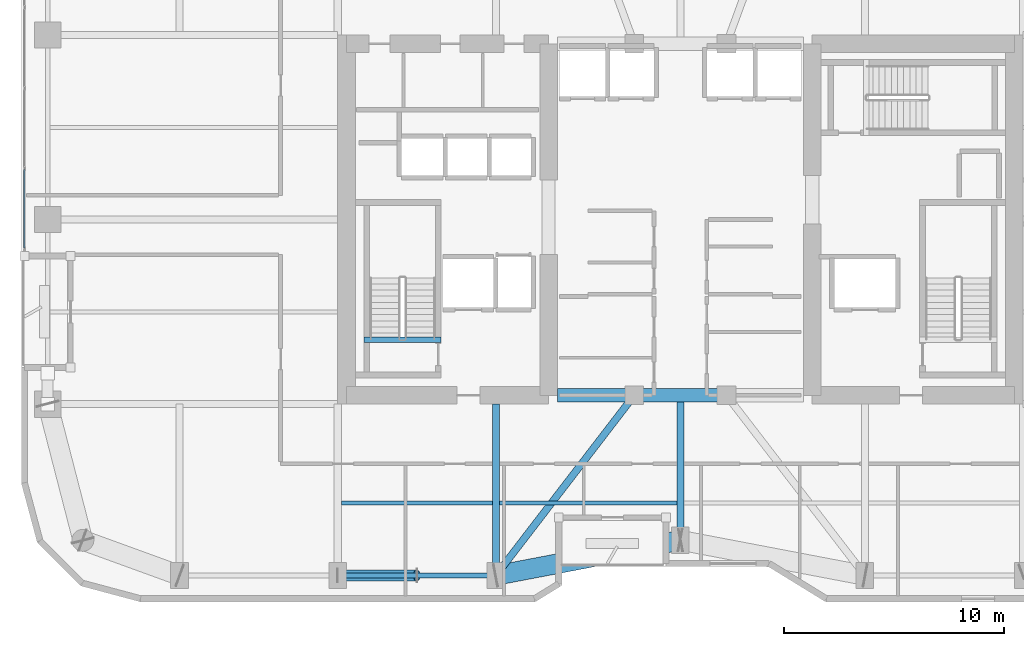
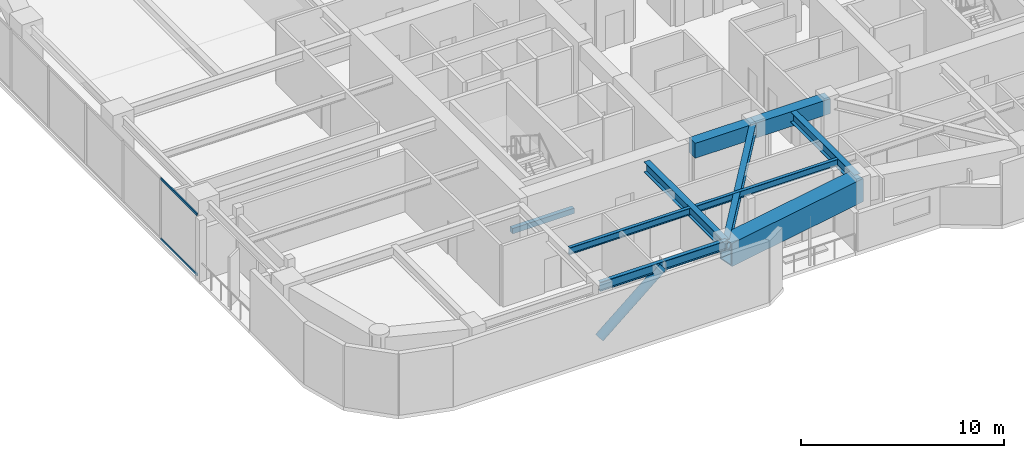
# One storey, part 3 of 30: 10 beams, 3 members, 1 element without a shape of its own.
"""IFC4 building model written with IfcOpenShell, lengths in metres."""

from ifc_helpers import new_model, si_unit, direction, frame, origin, origin_2d, place, context, subcontext, project, spatial, rectangle, hollow_rectangle, hollow_circle, i_section, extrude, material, layer, layer_set, material_profile, profile_set, type_object, element, aggregate, save


model = new_model("IFC4")

# Units and contexts
model_context = context("Model", 3, precision=1e-05, world=origin(), true_north=direction((0.0, 1.0)))
body_context = subcontext(model_context, "Body", "Model", "MODEL_VIEW")
ifc_project = project(units=[si_unit("LENGTHUNIT", "METRE"), si_unit("AREAUNIT", "SQUARE_METRE"), si_unit("VOLUMEUNIT", "CUBIC_METRE"), si_unit("PLANEANGLEUNIT", "RADIAN"), si_unit("MASSUNIT", "GRAM", prefix="KILO")], contexts=[model_context])

# Site, building, storey
site_placement = place(None, origin())
site = spatial("IfcSite", under=ifc_project, at=site_placement, CompositionType="ELEMENT")
building_placement = place(site_placement, origin())
building = spatial("IfcBuilding", under=site, at=building_placement, Name="Kiyonajd Concourse Tower", CompositionType="ELEMENT")
storey_placement = place(building_placement, frame((0.0, 0.0, 162.300048828125)))
storey = spatial("IfcBuildingStorey", under=building, at=storey_placement, Name="L41", CompositionType="ELEMENT", Elevation=162.300048828125)

# Beams
ifc_material_1 = material(Name="Concrete C60/75", Category="concrete")
ifc_material_profile_1 = material_profile(ifc_material_1, rectangle(XDim=0.60009765625, YDim=0.89990234375, at=origin_2d()), Name="RCBM-600x900")
ifc_profile_set_1 = profile_set([ifc_material_profile_1], Name="Concrete C60/75")
beam_type_1 = type_object("IfcBeamType", Name="BM-COUP-900", PredefinedType="LINTEL", material=ifc_profile_set_1)
beam_1_placement = place(storey_placement, frame((42.39990234375, 28.0, 3.22998046875), z_axis=(1.0, 0.0, 0.0), x_axis=(0.0, 1.0, 0.0)))
element("IfcBeam", 1, at=beam_1_placement, inside=storey, type_object=beam_type_1, Name="L41 Core Coupling Beam S1", PredefinedType="LINTEL", context=body_context, shape_type="SweptSolid", body=[
    extrude(rectangle(XDim=0.60009765625, YDim=0.89990234375, at=origin_2d()), origin(), (0.0, 0.0, 1.0), 3.5),
])
beam_2_placement = place(storey_placement, frame((45.89990234375, 28.0, 3.22998046875), z_axis=(1.0, 0.0, 0.0), x_axis=(0.0, 1.0, 0.0)))
element("IfcBeam", 2, at=beam_2_placement, inside=storey, type_object=beam_type_1, Name="L41 Core Coupling Beam S2", PredefinedType="LINTEL", context=body_context, shape_type="SweptSolid", body=[
    extrude(rectangle(XDim=0.60009765625, YDim=0.89990234375, at=origin_2d()), origin(), (0.0, 0.0, 1.0), 4.2001953125),
])
ifc_material_2 = material(Name="Steel ASTM A992 Grade 50", Category="steel")
ifc_material_profile_2 = material_profile(ifc_material_2, i_section(OverallWidth=0.180908203125, OverallDepth=0.4169921875, WebThickness=0.010986328125, FlangeThickness=0.018310546875, at=origin_2d()), Name="W410X85")
ifc_profile_set_2 = profile_set([ifc_material_profile_2], Name="Steel ASTM A992 Grade 50")
beam_type_2 = type_object("IfcBeamType", Name="BM-JST-410", PredefinedType="JOIST", material=ifc_profile_set_2)
beam_3_placement = place(storey_placement, frame((32.5634765625, 23.10009765625, 3.471435546875), z_axis=(1.0, 0.0, 0.0), x_axis=(0.0, 1.0, 0.0)))
element("IfcBeam", 3, at=beam_3_placement, inside=storey, type_object=beam_type_2, Name="L41 Secondary Floor Joist", PredefinedType="JOIST", context=body_context, shape_type="SweptSolid", body=[
    extrude(i_section(OverallWidth=0.180908203125, OverallDepth=0.4169921875, WebThickness=0.010986328125, FlangeThickness=0.018310546875, at=origin_2d()), origin(), (0.0, 0.0, 1.0), 6.873046875),
])
beam_4_placement = place(storey_placement, frame((39.763427734375, 23.10009765625, 3.471435546875), z_axis=(1.0, 0.0, 0.0), x_axis=(0.0, 1.0, 0.0)))
element("IfcBeam", 4, at=beam_4_placement, inside=storey, type_object=beam_type_2, Name="L41 Secondary Floor Joist", PredefinedType="JOIST", context=body_context, shape_type="SweptSolid", body=[
    extrude(i_section(OverallWidth=0.180908203125, OverallDepth=0.4169921875, WebThickness=0.010986328125, FlangeThickness=0.018310546875, at=origin_2d()), origin(), (0.0, 0.0, 1.0), 8.072998046875),
])
ifc_material_3 = material(Name="Concrete C50/60", Category="concrete")
ifc_material_profile_3 = material_profile(ifc_material_3, rectangle(XDim=0.239990234375, YDim=0.320068359375, at=origin_2d()), Name="RCBM-240x320")
ifc_profile_set_3 = profile_set([ifc_material_profile_3], Name="Concrete C50/60")
beam_type_3 = type_object("IfcBeamType", Name="BM-LNT-250", PredefinedType="LINTEL", material=ifc_profile_set_3)
beam_5_placement = place(storey_placement, frame((33.590087890625, 30.530029296875, -0.16015625), z_axis=(1.0, 0.0, 0.0), x_axis=(0.0, 1.0, 0.0)))
element("IfcBeam", 5, at=beam_5_placement, inside=storey, type_object=beam_type_3, Name="L41 Stair ST1 Threshold Support Beam", PredefinedType="LINTEL", context=body_context, shape_type="SweptSolid", body=[
    extrude(rectangle(XDim=0.239990234375, YDim=0.320068359375, at=origin_2d()), origin(), (0.0, 0.0, 1.0), 3.52001953125),
])
ifc_material_profile_4 = material_profile(ifc_material_2, i_section(OverallWidth=0.214111328125, OverallDepth=0.549072265625, WebThickness=0.0146484375, FlangeThickness=0.023681640625, at=origin_2d()), Name="W530X138")
ifc_profile_set_4 = profile_set([ifc_material_profile_4], Name="Steel ASTM A992 Grade 50")
beam_type_4 = type_object("IfcBeamType", Name="BM-SPAN-530A", PredefinedType="SPANDREL", material=ifc_profile_set_4)
beam_6_placement = place(storey_placement, frame((32.39990234375, 19.800048828125, 3.405517578125), z_axis=(1.0, 0.0, 0.0), x_axis=(0.0, 1.0, 0.0)))
element("IfcBeam", 6, at=beam_6_placement, inside=storey, type_object=beam_type_4, Name="L41 Perimeter Bundled Tube Spandrel", PredefinedType="SPANDREL", context=body_context, shape_type="SweptSolid", body=[
    extrude(i_section(OverallWidth=0.214111328125, OverallDepth=0.549072265625, WebThickness=0.0146484375, FlangeThickness=0.023681640625, at=origin_2d()), origin(), (0.0, 0.0, 1.0), 7.2001953125),
])
ifc_material_profile_5 = material_profile(ifc_material_2, i_section(OverallWidth=0.326904296875, OverallDepth=0.6220703125, WebThickness=0.015380859375, FlangeThickness=0.0244140625, at=origin_2d()), Name="W610X195")
ifc_profile_set_5 = profile_set([ifc_material_profile_5], Name="Steel ASTM A992 Grade 50")
beam_type_5 = type_object("IfcBeamType", Name="BM-TWR-610A", PredefinedType="BEAM", material=ifc_profile_set_5)
beam_7_placement = place(storey_placement, frame((39.60009765625, 19.800048828125, 3.368896484375), z_axis=(0.609233709922, 0.792990722956, 0.0), x_axis=(-0.792990722956, 0.609233709922, 0.0)))
element("IfcBeam", 7, at=beam_7_placement, inside=storey, type_object=beam_type_5, Name="L41 Core Tie Girder", PredefinedType="BEAM", context=body_context, shape_type="SweptSolid", body=[
    extrude(i_section(OverallWidth=0.326904296875, OverallDepth=0.6220703125, WebThickness=0.015380859375, FlangeThickness=0.0244140625, at=origin_2d()), origin(), (0.0, 0.0, 1.0), 10.340576171875),
])
beam_8_placement = place(storey_placement, frame((39.60009765625, 19.800048828125, 3.368896484375), z_axis=(0.0, 1.0, 0.0), x_axis=(-1.0, 0.0, 0.0)))
element("IfcBeam", 8, at=beam_8_placement, inside=storey, type_object=beam_type_5, Name="L41 South Lease Girder", PredefinedType="BEAM", context=body_context, shape_type="SweptSolid", body=[
    extrude(i_section(OverallWidth=0.326904296875, OverallDepth=0.6220703125, WebThickness=0.015380859375, FlangeThickness=0.0244140625, at=origin_2d()), origin(), (0.0, 0.0, 1.0), 7.800048828125),
])
beam_9_placement = place(storey_placement, frame((48.0, 21.39990234375, 3.368896484375), z_axis=(0.0, 1.0, 0.0), x_axis=(-1.0, 0.0, 0.0)))
element("IfcBeam", 9, at=beam_9_placement, inside=storey, type_object=beam_type_5, Name="L41 South Ribbon Girder", PredefinedType="BEAM", context=body_context, shape_type="SweptSolid", body=[
    extrude(i_section(OverallWidth=0.326904296875, OverallDepth=0.6220703125, WebThickness=0.015380859375, FlangeThickness=0.0244140625, at=origin_2d()), origin(), (0.0, 0.0, 1.0), 6.60009765625),
])
ifc_material_4 = material(Name="Steel ASTM A572 Grade 50", Category="steel")
ifc_material_profile_6 = material_profile(ifc_material_4, hollow_rectangle(XDim=0.89990234375, YDim=1.39990234375, WallThickness=0.070068359375, at=origin_2d()), Name="BOX-1400x900x70")
ifc_profile_set_6 = profile_set([ifc_material_profile_6], Name="Steel ASTM A572 Grade 50")
beam_type_6 = type_object("IfcBeamType", Name="BM-XFER-1400", PredefinedType="BEAM", material=ifc_profile_set_6)
beam_10_placement = place(storey_placement, frame((39.60009765625, 19.800048828125, 2.97998046875), z_axis=(0.982341315253, 0.187097675953, 0.0), x_axis=(-0.187097675953, 0.982341315253, 0.0)))
element("IfcBeam", 10, at=beam_10_placement, inside=storey, type_object=beam_type_6, Name="L41 Perimeter Bundled Tube Spandrel", PredefinedType="BEAM", context=body_context, shape_type="SweptSolid", body=[
    extrude(hollow_rectangle(XDim=0.89990234375, YDim=1.39990234375, WallThickness=0.070068359375, at=origin_2d()), origin(), (0.0, 0.0, 1.0), 8.55078125),
])

# Curtain wall, members
ifc_material_5 = material(Name="Thermally Broken Anodised Aluminium", Category="aluminium")
ifc_layer = layer(ifc_material_5, 0.179931640625)
ifc_layer_set = layer_set([ifc_layer], Name="Thermally Broken Anodised Aluminium")
curtain_wall_type = type_object("IfcCurtainWallType", Name="CW-SYS-03", PredefinedType="NOTDEFINED", material=ifc_layer_set)
curtain_wall_placement = place(storey_placement, origin())
curtain_wall = element("IfcCurtainWall", 11, at=curtain_wall_placement, inside=storey, type_object=curtain_wall_type, Name="L41 Unitised Curtain Wall CW3", PredefinedType="NOTDEFINED")
ifc_material_profile_7 = material_profile(ifc_material_5, hollow_rectangle(XDim=0.06494140625, YDim=0.139892578125, WallThickness=0.00390625, at=origin_2d()), Name="TRAN-65x140")
ifc_profile_set_7 = profile_set([ifc_material_profile_7], Name="Thermally Broken Anodised Aluminium")
member_type_1 = type_object("IfcMemberType", Name="MB-CW-TRAN1", PredefinedType="USERDEFINED", material=ifc_profile_set_7)
member_1_placement = place(storey_placement, frame((18.139892578125, 34.695068359375, 0.032470703125), z_axis=(0.0, 1.0, 0.0), x_axis=(-1.0, 0.0, 0.0)))
member_1 = element("IfcMember", 12, at=member_1_placement, type_object=member_type_1, Name="CW3 transom 1.1", ObjectType="TRANSOM", PredefinedType="USERDEFINED", context=body_context, shape_type="SweptSolid", body=[
    extrude(hollow_rectangle(XDim=0.06494140625, YDim=0.139892578125, WallThickness=0.00390625, at=origin_2d()), origin(), (0.0, 0.0, 1.0), 3.579345703125),
])
member_2_placement = place(storey_placement, frame((18.139892578125, 34.695068359375, 3.6474609375), z_axis=(0.0, 1.0, 0.0), x_axis=(-1.0, 0.0, 0.0)))
member_2 = element("IfcMember", 13, at=member_2_placement, type_object=member_type_1, Name="CW3 transom 1.2", ObjectType="TRANSOM", PredefinedType="USERDEFINED", context=body_context, shape_type="SweptSolid", body=[
    extrude(hollow_rectangle(XDim=0.06494140625, YDim=0.139892578125, WallThickness=0.00390625, at=origin_2d()), origin(), (0.0, 0.0, 1.0), 3.579345703125),
])
aggregate(curtain_wall, [member_1, member_2])

# Member
ifc_material_6 = material(Name="Steel ASTM A500 Grade C", Category="steel")
ifc_material_profile_8 = material_profile(ifc_material_6, hollow_circle(Radius=0.25390625, WallThickness=0.02197265625, at=origin_2d()), Name="CHS-508x22")
ifc_profile_set_8 = profile_set([ifc_material_profile_8], Name="Steel ASTM A500 Grade C")
member_type_2 = type_object("IfcMemberType", Name="MB-PB-MID", PredefinedType="BRACE", material=ifc_profile_set_8)
member_3_placement = place(storey_placement, frame((32.39990234375, 19.800048828125, 0.300048828125), z_axis=(0.765107605277, 0.0, 0.643902440085), x_axis=(0.0, 1.0, 0.0)))
element("IfcMember", 14, at=member_3_placement, inside=storey, type_object=member_type_2, Name="L41 Upper Zone Hollow Tube Brace PBS", PredefinedType="BRACE", context=body_context, shape_type="SweptSolid", body=[
    extrude(hollow_circle(Radius=0.25390625, WallThickness=0.02197265625, at=origin_2d()), origin(), (0.0, 0.0, 1.0), 4.705322265625),
])

save(model, "model.ifc")
